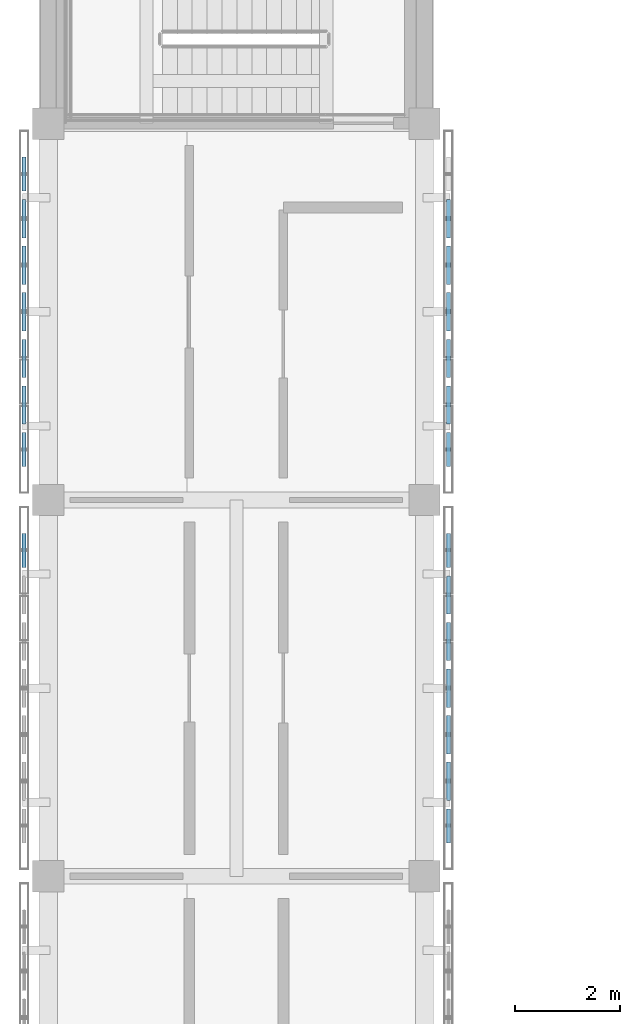
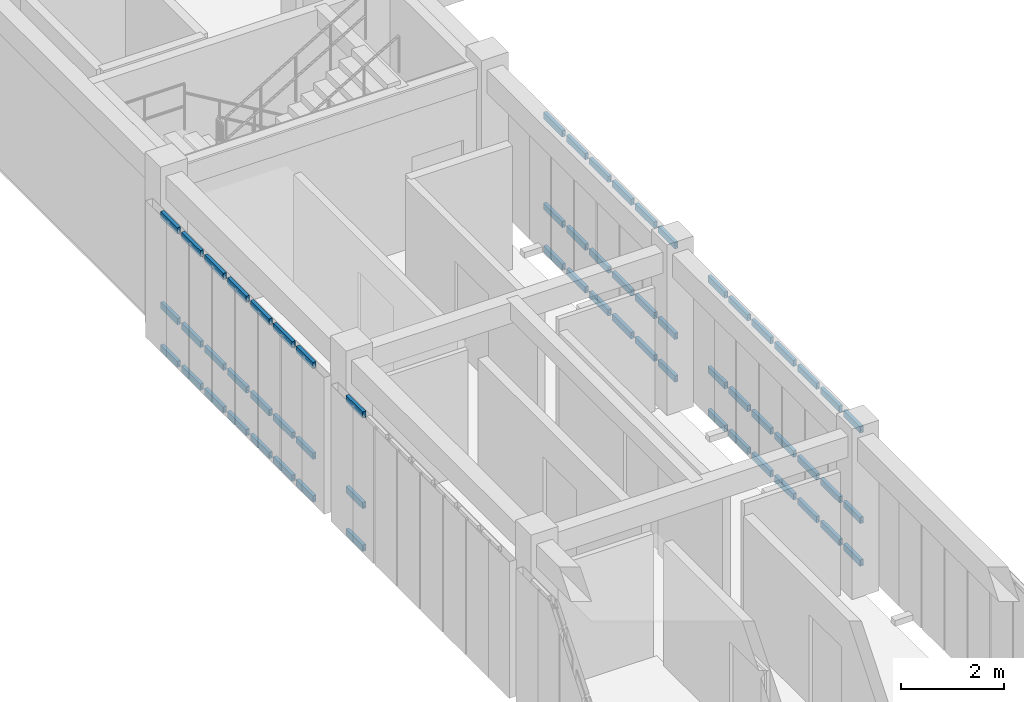
# One storey, part 21 of 67: 63 members, 4 elements without a shape of their own.
"""IFC4 building model written with IfcOpenShell, lengths in metres."""

from ifc_helpers import new_model, si_unit, direction, frame, origin, origin_2d, place, context, subcontext, project, spatial, hollow_rectangle, extrude, material, material_profile, profile_set, type_object, element, aggregate, save


model = new_model("IFC4")

# Units and contexts
model_context = context("Model", 3, precision=1e-05, world=origin(), true_north=direction((0.0, 1.0)))
body_context = subcontext(model_context, "Body", "Model", "MODEL_VIEW")
ifc_project = project(units=[si_unit("LENGTHUNIT", "METRE"), si_unit("AREAUNIT", "SQUARE_METRE"), si_unit("VOLUMEUNIT", "CUBIC_METRE"), si_unit("PLANEANGLEUNIT", "RADIAN"), si_unit("MASSUNIT", "GRAM", prefix="KILO")], contexts=[model_context])

# Site, building, storey
site_placement = place(None, origin())
site = spatial("IfcSite", under=ifc_project, at=site_placement, CompositionType="ELEMENT")
building_placement = place(site_placement, origin())
building = spatial("IfcBuilding", under=site, at=building_placement, Name="Aldebral Square Health Centre", CompositionType="ELEMENT")
storey_placement = place(building_placement, frame((0.0, 0.0, 13.5)))
storey = spatial("IfcBuildingStorey", under=building, at=storey_placement, Name="L03", CompositionType="ELEMENT", Elevation=13.5)

# Curtain wall, members
ifc_material_1 = material(Name="Aluminium and low-E solar glass", Category="aluminium")
curtain_wall_type = type_object("IfcCurtainWallType", Name="CW-FIN-SYS", PredefinedType="USERDEFINED", material=ifc_material_1)
curtain_wall_1_placement = place(storey_placement, origin())
curtain_wall_1 = element("IfcCurtainWall", 1, at=curtain_wall_1_placement, inside=storey, type_object=curtain_wall_type, Name="L03 V4 finned curtain wall L03-V4-00-11-W", ObjectType="SOLAR_CURTAIN_WALL", PredefinedType="USERDEFINED")
ifc_material_2 = material(Name="Anodised aluminium transom", Category="aluminium")
ifc_material_profile = material_profile(ifc_material_2, hollow_rectangle(XDim=0.074951171875, YDim=0.14990234375, WallThickness=0.00390625, at=origin_2d()), Name="CWT 75x150x4")
ifc_profile_set = profile_set([ifc_material_profile], Name="Anodised aluminium transom")
member_type = type_object("IfcMemberType", Name="CWT-STD", PredefinedType="USERDEFINED", material=ifc_profile_set)
member_1_placement = place(storey_placement, frame((-0.4599609375, 85.760009765625, 0.03759765625), z_axis=(0.0, -1.0, 0.0), x_axis=(1.0, 0.0, 0.0)))
member_1 = element("IfcMember", 2, at=member_1_placement, type_object=member_type, Name="CW1 transom 1.1", ObjectType="TRANSOM", PredefinedType="USERDEFINED", context=body_context, shape_type="SweptSolid", body=[
    extrude(hollow_rectangle(XDim=0.074951171875, YDim=0.14990234375, WallThickness=0.00390625, at=origin_2d()), origin(), (0.0, 0.0, 1.0), 0.6513671875),
])
member_2_placement = place(storey_placement, frame((-0.4599609375, 85.760009765625, 1.050048828125), z_axis=(0.0, -1.0, 0.0), x_axis=(1.0, 0.0, 0.0)))
member_2 = element("IfcMember", 3, at=member_2_placement, type_object=member_type, Name="CW1 transom 1.2", ObjectType="TRANSOM", PredefinedType="USERDEFINED", context=body_context, shape_type="SweptSolid", body=[
    extrude(hollow_rectangle(XDim=0.074951171875, YDim=0.14990234375, WallThickness=0.00390625, at=origin_2d()), origin(), (0.0, 0.0, 1.0), 0.6513671875),
])
member_3_placement = place(storey_placement, frame((-0.4599609375, 85.760009765625, 3.202392578125), z_axis=(0.0, -1.0, 0.0), x_axis=(1.0, 0.0, 0.0)))
member_3 = element("IfcMember", 4, at=member_3_placement, type_object=member_type, Name="CW1 transom 1.3", ObjectType="TRANSOM", PredefinedType="USERDEFINED", context=body_context, shape_type="SweptSolid", body=[
    extrude(hollow_rectangle(XDim=0.074951171875, YDim=0.14990234375, WallThickness=0.00390625, at=origin_2d()), origin(), (0.0, 0.0, 1.0), 0.6513671875),
])
aggregate(curtain_wall_1, [member_1, member_2, member_3])

curtain_wall_2_placement = place(storey_placement, origin())
curtain_wall_2 = element("IfcCurtainWall", 5, at=curtain_wall_2_placement, inside=storey, type_object=curtain_wall_type, Name="L03 V4 finned curtain wall L03-V4-00-11-E", ObjectType="SOLAR_CURTAIN_WALL", PredefinedType="USERDEFINED")
member_4_placement = place(storey_placement, frame((7.659912109375, 79.840087890625, 0.03759765625), z_axis=(0.0, 1.0, 0.0), x_axis=(-1.0, 0.0, 0.0)))
member_4 = element("IfcMember", 6, at=member_4_placement, type_object=member_type, Name="CW1 transom 1.1", ObjectType="TRANSOM", PredefinedType="USERDEFINED", context=body_context, shape_type="SweptSolid", body=[
    extrude(hollow_rectangle(XDim=0.074951171875, YDim=0.14990234375, WallThickness=0.00390625, at=origin_2d()), origin(), (0.0, 0.0, 1.0), 0.6513671875),
])
member_5_placement = place(storey_placement, frame((7.659912109375, 79.840087890625, 1.050048828125), z_axis=(0.0, 1.0, 0.0), x_axis=(-1.0, 0.0, 0.0)))
member_5 = element("IfcMember", 7, at=member_5_placement, type_object=member_type, Name="CW1 transom 1.2", ObjectType="TRANSOM", PredefinedType="USERDEFINED", context=body_context, shape_type="SweptSolid", body=[
    extrude(hollow_rectangle(XDim=0.074951171875, YDim=0.14990234375, WallThickness=0.00390625, at=origin_2d()), origin(), (0.0, 0.0, 1.0), 0.6513671875),
])
member_6_placement = place(storey_placement, frame((7.659912109375, 79.840087890625, 3.202392578125), z_axis=(0.0, 1.0, 0.0), x_axis=(-1.0, 0.0, 0.0)))
member_6 = element("IfcMember", 8, at=member_6_placement, type_object=member_type, Name="CW1 transom 1.3", ObjectType="TRANSOM", PredefinedType="USERDEFINED", context=body_context, shape_type="SweptSolid", body=[
    extrude(hollow_rectangle(XDim=0.074951171875, YDim=0.14990234375, WallThickness=0.00390625, at=origin_2d()), origin(), (0.0, 0.0, 1.0), 0.6513671875),
])
member_7_placement = place(storey_placement, frame((7.659912109375, 80.6513671875, 0.03759765625), z_axis=(0.0, 1.0, 0.0), x_axis=(-1.0, 0.0, 0.0)))
member_7 = element("IfcMember", 9, at=member_7_placement, type_object=member_type, Name="CW1 transom 2.1", ObjectType="TRANSOM", PredefinedType="USERDEFINED", context=body_context, shape_type="SweptSolid", body=[
    extrude(hollow_rectangle(XDim=0.074951171875, YDim=0.14990234375, WallThickness=0.00390625, at=origin_2d()), origin(), (0.0, 0.0, 1.0), 0.7314453125),
])
member_8_placement = place(storey_placement, frame((7.659912109375, 80.6513671875, 1.050048828125), z_axis=(0.0, 1.0, 0.0), x_axis=(-1.0, 0.0, 0.0)))
member_8 = element("IfcMember", 10, at=member_8_placement, type_object=member_type, Name="CW1 transom 2.2", ObjectType="TRANSOM", PredefinedType="USERDEFINED", context=body_context, shape_type="SweptSolid", body=[
    extrude(hollow_rectangle(XDim=0.074951171875, YDim=0.14990234375, WallThickness=0.00390625, at=origin_2d()), origin(), (0.0, 0.0, 1.0), 0.7314453125),
])
member_9_placement = place(storey_placement, frame((7.659912109375, 80.6513671875, 3.202392578125), z_axis=(0.0, 1.0, 0.0), x_axis=(-1.0, 0.0, 0.0)))
member_9 = element("IfcMember", 11, at=member_9_placement, type_object=member_type, Name="CW1 transom 2.3", ObjectType="TRANSOM", PredefinedType="USERDEFINED", context=body_context, shape_type="SweptSolid", body=[
    extrude(hollow_rectangle(XDim=0.074951171875, YDim=0.14990234375, WallThickness=0.00390625, at=origin_2d()), origin(), (0.0, 0.0, 1.0), 0.7314453125),
])
member_10_placement = place(storey_placement, frame((7.659912109375, 81.54296875, 0.03759765625), z_axis=(0.0, 1.0, 0.0), x_axis=(-1.0, 0.0, 0.0)))
member_10 = element("IfcMember", 12, at=member_10_placement, type_object=member_type, Name="CW1 transom 3.1", ObjectType="TRANSOM", PredefinedType="USERDEFINED", context=body_context, shape_type="SweptSolid", body=[
    extrude(hollow_rectangle(XDim=0.074951171875, YDim=0.14990234375, WallThickness=0.00390625, at=origin_2d()), origin(), (0.0, 0.0, 1.0), 0.731201171875),
])
member_11_placement = place(storey_placement, frame((7.659912109375, 81.54296875, 1.050048828125), z_axis=(0.0, 1.0, 0.0), x_axis=(-1.0, 0.0, 0.0)))
member_11 = element("IfcMember", 13, at=member_11_placement, type_object=member_type, Name="CW1 transom 3.2", ObjectType="TRANSOM", PredefinedType="USERDEFINED", context=body_context, shape_type="SweptSolid", body=[
    extrude(hollow_rectangle(XDim=0.074951171875, YDim=0.14990234375, WallThickness=0.00390625, at=origin_2d()), origin(), (0.0, 0.0, 1.0), 0.731201171875),
])
member_12_placement = place(storey_placement, frame((7.659912109375, 81.54296875, 3.202392578125), z_axis=(0.0, 1.0, 0.0), x_axis=(-1.0, 0.0, 0.0)))
member_12 = element("IfcMember", 14, at=member_12_placement, type_object=member_type, Name="CW1 transom 3.3", ObjectType="TRANSOM", PredefinedType="USERDEFINED", context=body_context, shape_type="SweptSolid", body=[
    extrude(hollow_rectangle(XDim=0.074951171875, YDim=0.14990234375, WallThickness=0.00390625, at=origin_2d()), origin(), (0.0, 0.0, 1.0), 0.731201171875),
])
member_13_placement = place(storey_placement, frame((7.659912109375, 82.434326171875, 0.03759765625), z_axis=(0.0, 1.0, 0.0), x_axis=(-1.0, 0.0, 0.0)))
member_13 = element("IfcMember", 15, at=member_13_placement, type_object=member_type, Name="CW1 transom 4.1", ObjectType="TRANSOM", PredefinedType="USERDEFINED", context=body_context, shape_type="SweptSolid", body=[
    extrude(hollow_rectangle(XDim=0.074951171875, YDim=0.14990234375, WallThickness=0.00390625, at=origin_2d()), origin(), (0.0, 0.0, 1.0), 0.7314453125),
])
member_14_placement = place(storey_placement, frame((7.659912109375, 82.434326171875, 1.050048828125), z_axis=(0.0, 1.0, 0.0), x_axis=(-1.0, 0.0, 0.0)))
member_14 = element("IfcMember", 16, at=member_14_placement, type_object=member_type, Name="CW1 transom 4.2", ObjectType="TRANSOM", PredefinedType="USERDEFINED", context=body_context, shape_type="SweptSolid", body=[
    extrude(hollow_rectangle(XDim=0.074951171875, YDim=0.14990234375, WallThickness=0.00390625, at=origin_2d()), origin(), (0.0, 0.0, 1.0), 0.7314453125),
])
member_15_placement = place(storey_placement, frame((7.659912109375, 82.434326171875, 3.202392578125), z_axis=(0.0, 1.0, 0.0), x_axis=(-1.0, 0.0, 0.0)))
member_15 = element("IfcMember", 17, at=member_15_placement, type_object=member_type, Name="CW1 transom 4.3", ObjectType="TRANSOM", PredefinedType="USERDEFINED", context=body_context, shape_type="SweptSolid", body=[
    extrude(hollow_rectangle(XDim=0.074951171875, YDim=0.14990234375, WallThickness=0.00390625, at=origin_2d()), origin(), (0.0, 0.0, 1.0), 0.7314453125),
])
member_16_placement = place(storey_placement, frame((7.659912109375, 83.32568359375, 0.03759765625), z_axis=(0.0, 1.0, 0.0), x_axis=(-1.0, 0.0, 0.0)))
member_16 = element("IfcMember", 18, at=member_16_placement, type_object=member_type, Name="CW1 transom 5.1", ObjectType="TRANSOM", PredefinedType="USERDEFINED", context=body_context, shape_type="SweptSolid", body=[
    extrude(hollow_rectangle(XDim=0.074951171875, YDim=0.14990234375, WallThickness=0.00390625, at=origin_2d()), origin(), (0.0, 0.0, 1.0), 0.7314453125),
])
member_17_placement = place(storey_placement, frame((7.659912109375, 83.32568359375, 1.050048828125), z_axis=(0.0, 1.0, 0.0), x_axis=(-1.0, 0.0, 0.0)))
member_17 = element("IfcMember", 19, at=member_17_placement, type_object=member_type, Name="CW1 transom 5.2", ObjectType="TRANSOM", PredefinedType="USERDEFINED", context=body_context, shape_type="SweptSolid", body=[
    extrude(hollow_rectangle(XDim=0.074951171875, YDim=0.14990234375, WallThickness=0.00390625, at=origin_2d()), origin(), (0.0, 0.0, 1.0), 0.7314453125),
])
member_18_placement = place(storey_placement, frame((7.659912109375, 83.32568359375, 3.202392578125), z_axis=(0.0, 1.0, 0.0), x_axis=(-1.0, 0.0, 0.0)))
member_18 = element("IfcMember", 20, at=member_18_placement, type_object=member_type, Name="CW1 transom 5.3", ObjectType="TRANSOM", PredefinedType="USERDEFINED", context=body_context, shape_type="SweptSolid", body=[
    extrude(hollow_rectangle(XDim=0.074951171875, YDim=0.14990234375, WallThickness=0.00390625, at=origin_2d()), origin(), (0.0, 0.0, 1.0), 0.7314453125),
])
member_19_placement = place(storey_placement, frame((7.659912109375, 84.217041015625, 0.03759765625), z_axis=(0.0, 1.0, 0.0), x_axis=(-1.0, 0.0, 0.0)))
member_19 = element("IfcMember", 21, at=member_19_placement, type_object=member_type, Name="CW1 transom 6.1", ObjectType="TRANSOM", PredefinedType="USERDEFINED", context=body_context, shape_type="SweptSolid", body=[
    extrude(hollow_rectangle(XDim=0.074951171875, YDim=0.14990234375, WallThickness=0.00390625, at=origin_2d()), origin(), (0.0, 0.0, 1.0), 0.7314453125),
])
member_20_placement = place(storey_placement, frame((7.659912109375, 84.217041015625, 1.050048828125), z_axis=(0.0, 1.0, 0.0), x_axis=(-1.0, 0.0, 0.0)))
member_20 = element("IfcMember", 22, at=member_20_placement, type_object=member_type, Name="CW1 transom 6.2", ObjectType="TRANSOM", PredefinedType="USERDEFINED", context=body_context, shape_type="SweptSolid", body=[
    extrude(hollow_rectangle(XDim=0.074951171875, YDim=0.14990234375, WallThickness=0.00390625, at=origin_2d()), origin(), (0.0, 0.0, 1.0), 0.7314453125),
])
member_21_placement = place(storey_placement, frame((7.659912109375, 84.217041015625, 3.202392578125), z_axis=(0.0, 1.0, 0.0), x_axis=(-1.0, 0.0, 0.0)))
member_21 = element("IfcMember", 23, at=member_21_placement, type_object=member_type, Name="CW1 transom 6.3", ObjectType="TRANSOM", PredefinedType="USERDEFINED", context=body_context, shape_type="SweptSolid", body=[
    extrude(hollow_rectangle(XDim=0.074951171875, YDim=0.14990234375, WallThickness=0.00390625, at=origin_2d()), origin(), (0.0, 0.0, 1.0), 0.7314453125),
])
member_22_placement = place(storey_placement, frame((7.659912109375, 85.108642578125, 0.03759765625), z_axis=(0.0, 1.0, 0.0), x_axis=(-1.0, 0.0, 0.0)))
member_22 = element("IfcMember", 24, at=member_22_placement, type_object=member_type, Name="CW1 transom 7.1", ObjectType="TRANSOM", PredefinedType="USERDEFINED", context=body_context, shape_type="SweptSolid", body=[
    extrude(hollow_rectangle(XDim=0.074951171875, YDim=0.14990234375, WallThickness=0.00390625, at=origin_2d()), origin(), (0.0, 0.0, 1.0), 0.6513671875),
])
member_23_placement = place(storey_placement, frame((7.659912109375, 85.108642578125, 1.050048828125), z_axis=(0.0, 1.0, 0.0), x_axis=(-1.0, 0.0, 0.0)))
member_23 = element("IfcMember", 25, at=member_23_placement, type_object=member_type, Name="CW1 transom 7.2", ObjectType="TRANSOM", PredefinedType="USERDEFINED", context=body_context, shape_type="SweptSolid", body=[
    extrude(hollow_rectangle(XDim=0.074951171875, YDim=0.14990234375, WallThickness=0.00390625, at=origin_2d()), origin(), (0.0, 0.0, 1.0), 0.6513671875),
])
member_24_placement = place(storey_placement, frame((7.659912109375, 85.108642578125, 3.202392578125), z_axis=(0.0, 1.0, 0.0), x_axis=(-1.0, 0.0, 0.0)))
member_24 = element("IfcMember", 26, at=member_24_placement, type_object=member_type, Name="CW1 transom 7.3", ObjectType="TRANSOM", PredefinedType="USERDEFINED", context=body_context, shape_type="SweptSolid", body=[
    extrude(hollow_rectangle(XDim=0.074951171875, YDim=0.14990234375, WallThickness=0.00390625, at=origin_2d()), origin(), (0.0, 0.0, 1.0), 0.6513671875),
])
aggregate(curtain_wall_2, [member_4, member_5, member_6, member_7, member_8, member_9, member_10, member_11, member_12, member_13, member_14, member_15, member_16, member_17, member_18, member_19, member_20, member_21, member_22, member_23, member_24])

curtain_wall_3_placement = place(storey_placement, origin())
curtain_wall_3 = element("IfcCurtainWall", 27, at=curtain_wall_3_placement, inside=storey, type_object=curtain_wall_type, Name="L03 V4 finned curtain wall L03-V4-00-12-W", ObjectType="SOLAR_CURTAIN_WALL", PredefinedType="USERDEFINED")
member_25_placement = place(storey_placement, frame((-0.4599609375, 92.9599609375, 0.03759765625), z_axis=(0.0, -1.0, 0.0), x_axis=(1.0, 0.0, 0.0)))
member_25 = element("IfcMember", 28, at=member_25_placement, type_object=member_type, Name="CW1 transom 1.1", ObjectType="TRANSOM", PredefinedType="USERDEFINED", context=body_context, shape_type="SweptSolid", body=[
    extrude(hollow_rectangle(XDim=0.074951171875, YDim=0.14990234375, WallThickness=0.00390625, at=origin_2d()), origin(), (0.0, 0.0, 1.0), 0.6513671875),
])
member_26_placement = place(storey_placement, frame((-0.4599609375, 92.9599609375, 1.050048828125), z_axis=(0.0, -1.0, 0.0), x_axis=(1.0, 0.0, 0.0)))
member_26 = element("IfcMember", 29, at=member_26_placement, type_object=member_type, Name="CW1 transom 1.2", ObjectType="TRANSOM", PredefinedType="USERDEFINED", context=body_context, shape_type="SweptSolid", body=[
    extrude(hollow_rectangle(XDim=0.074951171875, YDim=0.14990234375, WallThickness=0.00390625, at=origin_2d()), origin(), (0.0, 0.0, 1.0), 0.6513671875),
])
member_27_placement = place(storey_placement, frame((-0.4599609375, 92.9599609375, 3.202392578125), z_axis=(0.0, -1.0, 0.0), x_axis=(1.0, 0.0, 0.0)))
member_27 = element("IfcMember", 30, at=member_27_placement, type_object=member_type, Name="CW1 transom 1.3", ObjectType="TRANSOM", PredefinedType="USERDEFINED", context=body_context, shape_type="SweptSolid", body=[
    extrude(hollow_rectangle(XDim=0.074951171875, YDim=0.14990234375, WallThickness=0.00390625, at=origin_2d()), origin(), (0.0, 0.0, 1.0), 0.6513671875),
])
member_28_placement = place(storey_placement, frame((-0.4599609375, 92.148681640625, 0.03759765625), z_axis=(0.0, -1.0, 0.0), x_axis=(1.0, 0.0, 0.0)))
member_28 = element("IfcMember", 31, at=member_28_placement, type_object=member_type, Name="CW1 transom 2.1", ObjectType="TRANSOM", PredefinedType="USERDEFINED", context=body_context, shape_type="SweptSolid", body=[
    extrude(hollow_rectangle(XDim=0.074951171875, YDim=0.14990234375, WallThickness=0.00390625, at=origin_2d()), origin(), (0.0, 0.0, 1.0), 0.7314453125),
])
member_29_placement = place(storey_placement, frame((-0.4599609375, 92.148681640625, 1.050048828125), z_axis=(0.0, -1.0, 0.0), x_axis=(1.0, 0.0, 0.0)))
member_29 = element("IfcMember", 32, at=member_29_placement, type_object=member_type, Name="CW1 transom 2.2", ObjectType="TRANSOM", PredefinedType="USERDEFINED", context=body_context, shape_type="SweptSolid", body=[
    extrude(hollow_rectangle(XDim=0.074951171875, YDim=0.14990234375, WallThickness=0.00390625, at=origin_2d()), origin(), (0.0, 0.0, 1.0), 0.7314453125),
])
member_30_placement = place(storey_placement, frame((-0.4599609375, 92.148681640625, 3.202392578125), z_axis=(0.0, -1.0, 0.0), x_axis=(1.0, 0.0, 0.0)))
member_30 = element("IfcMember", 33, at=member_30_placement, type_object=member_type, Name="CW1 transom 2.3", ObjectType="TRANSOM", PredefinedType="USERDEFINED", context=body_context, shape_type="SweptSolid", body=[
    extrude(hollow_rectangle(XDim=0.074951171875, YDim=0.14990234375, WallThickness=0.00390625, at=origin_2d()), origin(), (0.0, 0.0, 1.0), 0.7314453125),
])
member_31_placement = place(storey_placement, frame((-0.4599609375, 91.257080078125, 0.03759765625), z_axis=(0.0, -1.0, 0.0), x_axis=(1.0, 0.0, 0.0)))
member_31 = element("IfcMember", 34, at=member_31_placement, type_object=member_type, Name="CW1 transom 3.1", ObjectType="TRANSOM", PredefinedType="USERDEFINED", context=body_context, shape_type="SweptSolid", body=[
    extrude(hollow_rectangle(XDim=0.074951171875, YDim=0.14990234375, WallThickness=0.00390625, at=origin_2d()), origin(), (0.0, 0.0, 1.0), 0.7314453125),
])
member_32_placement = place(storey_placement, frame((-0.4599609375, 91.257080078125, 1.050048828125), z_axis=(0.0, -1.0, 0.0), x_axis=(1.0, 0.0, 0.0)))
member_32 = element("IfcMember", 35, at=member_32_placement, type_object=member_type, Name="CW1 transom 3.2", ObjectType="TRANSOM", PredefinedType="USERDEFINED", context=body_context, shape_type="SweptSolid", body=[
    extrude(hollow_rectangle(XDim=0.074951171875, YDim=0.14990234375, WallThickness=0.00390625, at=origin_2d()), origin(), (0.0, 0.0, 1.0), 0.7314453125),
])
member_33_placement = place(storey_placement, frame((-0.4599609375, 91.257080078125, 3.202392578125), z_axis=(0.0, -1.0, 0.0), x_axis=(1.0, 0.0, 0.0)))
member_33 = element("IfcMember", 36, at=member_33_placement, type_object=member_type, Name="CW1 transom 3.3", ObjectType="TRANSOM", PredefinedType="USERDEFINED", context=body_context, shape_type="SweptSolid", body=[
    extrude(hollow_rectangle(XDim=0.074951171875, YDim=0.14990234375, WallThickness=0.00390625, at=origin_2d()), origin(), (0.0, 0.0, 1.0), 0.7314453125),
])
member_34_placement = place(storey_placement, frame((-0.4599609375, 90.36572265625, 0.03759765625), z_axis=(0.0, -1.0, 0.0), x_axis=(1.0, 0.0, 0.0)))
member_34 = element("IfcMember", 37, at=member_34_placement, type_object=member_type, Name="CW1 transom 4.1", ObjectType="TRANSOM", PredefinedType="USERDEFINED", context=body_context, shape_type="SweptSolid", body=[
    extrude(hollow_rectangle(XDim=0.074951171875, YDim=0.14990234375, WallThickness=0.00390625, at=origin_2d()), origin(), (0.0, 0.0, 1.0), 0.7314453125),
])
member_35_placement = place(storey_placement, frame((-0.4599609375, 90.36572265625, 1.050048828125), z_axis=(0.0, -1.0, 0.0), x_axis=(1.0, 0.0, 0.0)))
member_35 = element("IfcMember", 38, at=member_35_placement, type_object=member_type, Name="CW1 transom 4.2", ObjectType="TRANSOM", PredefinedType="USERDEFINED", context=body_context, shape_type="SweptSolid", body=[
    extrude(hollow_rectangle(XDim=0.074951171875, YDim=0.14990234375, WallThickness=0.00390625, at=origin_2d()), origin(), (0.0, 0.0, 1.0), 0.7314453125),
])
member_36_placement = place(storey_placement, frame((-0.4599609375, 90.36572265625, 3.202392578125), z_axis=(0.0, -1.0, 0.0), x_axis=(1.0, 0.0, 0.0)))
member_36 = element("IfcMember", 39, at=member_36_placement, type_object=member_type, Name="CW1 transom 4.3", ObjectType="TRANSOM", PredefinedType="USERDEFINED", context=body_context, shape_type="SweptSolid", body=[
    extrude(hollow_rectangle(XDim=0.074951171875, YDim=0.14990234375, WallThickness=0.00390625, at=origin_2d()), origin(), (0.0, 0.0, 1.0), 0.7314453125),
])
member_37_placement = place(storey_placement, frame((-0.4599609375, 89.474365234375, 0.03759765625), z_axis=(0.0, -1.0, 0.0), x_axis=(1.0, 0.0, 0.0)))
member_37 = element("IfcMember", 40, at=member_37_placement, type_object=member_type, Name="CW1 transom 5.1", ObjectType="TRANSOM", PredefinedType="USERDEFINED", context=body_context, shape_type="SweptSolid", body=[
    extrude(hollow_rectangle(XDim=0.074951171875, YDim=0.14990234375, WallThickness=0.00390625, at=origin_2d()), origin(), (0.0, 0.0, 1.0), 0.7314453125),
])
member_38_placement = place(storey_placement, frame((-0.4599609375, 89.474365234375, 1.050048828125), z_axis=(0.0, -1.0, 0.0), x_axis=(1.0, 0.0, 0.0)))
member_38 = element("IfcMember", 41, at=member_38_placement, type_object=member_type, Name="CW1 transom 5.2", ObjectType="TRANSOM", PredefinedType="USERDEFINED", context=body_context, shape_type="SweptSolid", body=[
    extrude(hollow_rectangle(XDim=0.074951171875, YDim=0.14990234375, WallThickness=0.00390625, at=origin_2d()), origin(), (0.0, 0.0, 1.0), 0.7314453125),
])
member_39_placement = place(storey_placement, frame((-0.4599609375, 89.474365234375, 3.202392578125), z_axis=(0.0, -1.0, 0.0), x_axis=(1.0, 0.0, 0.0)))
member_39 = element("IfcMember", 42, at=member_39_placement, type_object=member_type, Name="CW1 transom 5.3", ObjectType="TRANSOM", PredefinedType="USERDEFINED", context=body_context, shape_type="SweptSolid", body=[
    extrude(hollow_rectangle(XDim=0.074951171875, YDim=0.14990234375, WallThickness=0.00390625, at=origin_2d()), origin(), (0.0, 0.0, 1.0), 0.7314453125),
])
member_40_placement = place(storey_placement, frame((-0.4599609375, 88.582763671875, 0.03759765625), z_axis=(0.0, -1.0, 0.0), x_axis=(1.0, 0.0, 0.0)))
member_40 = element("IfcMember", 43, at=member_40_placement, type_object=member_type, Name="CW1 transom 6.1", ObjectType="TRANSOM", PredefinedType="USERDEFINED", context=body_context, shape_type="SweptSolid", body=[
    extrude(hollow_rectangle(XDim=0.074951171875, YDim=0.14990234375, WallThickness=0.00390625, at=origin_2d()), origin(), (0.0, 0.0, 1.0), 0.7314453125),
])
member_41_placement = place(storey_placement, frame((-0.4599609375, 88.582763671875, 1.050048828125), z_axis=(0.0, -1.0, 0.0), x_axis=(1.0, 0.0, 0.0)))
member_41 = element("IfcMember", 44, at=member_41_placement, type_object=member_type, Name="CW1 transom 6.2", ObjectType="TRANSOM", PredefinedType="USERDEFINED", context=body_context, shape_type="SweptSolid", body=[
    extrude(hollow_rectangle(XDim=0.074951171875, YDim=0.14990234375, WallThickness=0.00390625, at=origin_2d()), origin(), (0.0, 0.0, 1.0), 0.7314453125),
])
member_42_placement = place(storey_placement, frame((-0.4599609375, 88.582763671875, 3.202392578125), z_axis=(0.0, -1.0, 0.0), x_axis=(1.0, 0.0, 0.0)))
member_42 = element("IfcMember", 45, at=member_42_placement, type_object=member_type, Name="CW1 transom 6.3", ObjectType="TRANSOM", PredefinedType="USERDEFINED", context=body_context, shape_type="SweptSolid", body=[
    extrude(hollow_rectangle(XDim=0.074951171875, YDim=0.14990234375, WallThickness=0.00390625, at=origin_2d()), origin(), (0.0, 0.0, 1.0), 0.7314453125),
])
member_43_placement = place(storey_placement, frame((-0.4599609375, 87.69140625, 0.03759765625), z_axis=(0.0, -1.0, 0.0), x_axis=(1.0, 0.0, 0.0)))
member_43 = element("IfcMember", 46, at=member_43_placement, type_object=member_type, Name="CW1 transom 7.1", ObjectType="TRANSOM", PredefinedType="USERDEFINED", context=body_context, shape_type="SweptSolid", body=[
    extrude(hollow_rectangle(XDim=0.074951171875, YDim=0.14990234375, WallThickness=0.00390625, at=origin_2d()), origin(), (0.0, 0.0, 1.0), 0.6513671875),
])
member_44_placement = place(storey_placement, frame((-0.4599609375, 87.69140625, 1.050048828125), z_axis=(0.0, -1.0, 0.0), x_axis=(1.0, 0.0, 0.0)))
member_44 = element("IfcMember", 47, at=member_44_placement, type_object=member_type, Name="CW1 transom 7.2", ObjectType="TRANSOM", PredefinedType="USERDEFINED", context=body_context, shape_type="SweptSolid", body=[
    extrude(hollow_rectangle(XDim=0.074951171875, YDim=0.14990234375, WallThickness=0.00390625, at=origin_2d()), origin(), (0.0, 0.0, 1.0), 0.6513671875),
])
member_45_placement = place(storey_placement, frame((-0.4599609375, 87.69140625, 3.202392578125), z_axis=(0.0, -1.0, 0.0), x_axis=(1.0, 0.0, 0.0)))
member_45 = element("IfcMember", 48, at=member_45_placement, type_object=member_type, Name="CW1 transom 7.3", ObjectType="TRANSOM", PredefinedType="USERDEFINED", context=body_context, shape_type="SweptSolid", body=[
    extrude(hollow_rectangle(XDim=0.074951171875, YDim=0.14990234375, WallThickness=0.00390625, at=origin_2d()), origin(), (0.0, 0.0, 1.0), 0.6513671875),
])
aggregate(curtain_wall_3, [member_25, member_26, member_27, member_28, member_29, member_30, member_31, member_32, member_33, member_34, member_35, member_36, member_37, member_38, member_39, member_40, member_41, member_42, member_43, member_44, member_45])

curtain_wall_4_placement = place(storey_placement, origin())
curtain_wall_4 = element("IfcCurtainWall", 49, at=curtain_wall_4_placement, inside=storey, type_object=curtain_wall_type, Name="L03 V4 finned curtain wall L03-V4-00-12-E", ObjectType="SOLAR_CURTAIN_WALL", PredefinedType="USERDEFINED")
member_46_placement = place(storey_placement, frame((7.659912109375, 87.0400390625, 0.03759765625), z_axis=(0.0, 1.0, 0.0), x_axis=(-1.0, 0.0, 0.0)))
member_46 = element("IfcMember", 50, at=member_46_placement, type_object=member_type, Name="CW1 transom 1.1", ObjectType="TRANSOM", PredefinedType="USERDEFINED", context=body_context, shape_type="SweptSolid", body=[
    extrude(hollow_rectangle(XDim=0.074951171875, YDim=0.14990234375, WallThickness=0.00390625, at=origin_2d()), origin(), (0.0, 0.0, 1.0), 0.6513671875),
])
member_47_placement = place(storey_placement, frame((7.659912109375, 87.0400390625, 1.050048828125), z_axis=(0.0, 1.0, 0.0), x_axis=(-1.0, 0.0, 0.0)))
member_47 = element("IfcMember", 51, at=member_47_placement, type_object=member_type, Name="CW1 transom 1.2", ObjectType="TRANSOM", PredefinedType="USERDEFINED", context=body_context, shape_type="SweptSolid", body=[
    extrude(hollow_rectangle(XDim=0.074951171875, YDim=0.14990234375, WallThickness=0.00390625, at=origin_2d()), origin(), (0.0, 0.0, 1.0), 0.6513671875),
])
member_48_placement = place(storey_placement, frame((7.659912109375, 87.0400390625, 3.202392578125), z_axis=(0.0, 1.0, 0.0), x_axis=(-1.0, 0.0, 0.0)))
member_48 = element("IfcMember", 52, at=member_48_placement, type_object=member_type, Name="CW1 transom 1.3", ObjectType="TRANSOM", PredefinedType="USERDEFINED", context=body_context, shape_type="SweptSolid", body=[
    extrude(hollow_rectangle(XDim=0.074951171875, YDim=0.14990234375, WallThickness=0.00390625, at=origin_2d()), origin(), (0.0, 0.0, 1.0), 0.6513671875),
])
member_49_placement = place(storey_placement, frame((7.659912109375, 87.851318359375, 0.03759765625), z_axis=(0.0, 1.0, 0.0), x_axis=(-1.0, 0.0, 0.0)))
member_49 = element("IfcMember", 53, at=member_49_placement, type_object=member_type, Name="CW1 transom 2.1", ObjectType="TRANSOM", PredefinedType="USERDEFINED", context=body_context, shape_type="SweptSolid", body=[
    extrude(hollow_rectangle(XDim=0.074951171875, YDim=0.14990234375, WallThickness=0.00390625, at=origin_2d()), origin(), (0.0, 0.0, 1.0), 0.7314453125),
])
member_50_placement = place(storey_placement, frame((7.659912109375, 87.851318359375, 1.050048828125), z_axis=(0.0, 1.0, 0.0), x_axis=(-1.0, 0.0, 0.0)))
member_50 = element("IfcMember", 54, at=member_50_placement, type_object=member_type, Name="CW1 transom 2.2", ObjectType="TRANSOM", PredefinedType="USERDEFINED", context=body_context, shape_type="SweptSolid", body=[
    extrude(hollow_rectangle(XDim=0.074951171875, YDim=0.14990234375, WallThickness=0.00390625, at=origin_2d()), origin(), (0.0, 0.0, 1.0), 0.7314453125),
])
member_51_placement = place(storey_placement, frame((7.659912109375, 87.851318359375, 3.202392578125), z_axis=(0.0, 1.0, 0.0), x_axis=(-1.0, 0.0, 0.0)))
member_51 = element("IfcMember", 55, at=member_51_placement, type_object=member_type, Name="CW1 transom 2.3", ObjectType="TRANSOM", PredefinedType="USERDEFINED", context=body_context, shape_type="SweptSolid", body=[
    extrude(hollow_rectangle(XDim=0.074951171875, YDim=0.14990234375, WallThickness=0.00390625, at=origin_2d()), origin(), (0.0, 0.0, 1.0), 0.7314453125),
])
member_52_placement = place(storey_placement, frame((7.659912109375, 88.742919921875, 0.03759765625), z_axis=(0.0, 1.0, 0.0), x_axis=(-1.0, 0.0, 0.0)))
member_52 = element("IfcMember", 56, at=member_52_placement, type_object=member_type, Name="CW1 transom 3.1", ObjectType="TRANSOM", PredefinedType="USERDEFINED", context=body_context, shape_type="SweptSolid", body=[
    extrude(hollow_rectangle(XDim=0.074951171875, YDim=0.14990234375, WallThickness=0.00390625, at=origin_2d()), origin(), (0.0, 0.0, 1.0), 0.7314453125),
])
member_53_placement = place(storey_placement, frame((7.659912109375, 88.742919921875, 1.050048828125), z_axis=(0.0, 1.0, 0.0), x_axis=(-1.0, 0.0, 0.0)))
member_53 = element("IfcMember", 57, at=member_53_placement, type_object=member_type, Name="CW1 transom 3.2", ObjectType="TRANSOM", PredefinedType="USERDEFINED", context=body_context, shape_type="SweptSolid", body=[
    extrude(hollow_rectangle(XDim=0.074951171875, YDim=0.14990234375, WallThickness=0.00390625, at=origin_2d()), origin(), (0.0, 0.0, 1.0), 0.7314453125),
])
member_54_placement = place(storey_placement, frame((7.659912109375, 88.742919921875, 3.202392578125), z_axis=(0.0, 1.0, 0.0), x_axis=(-1.0, 0.0, 0.0)))
member_54 = element("IfcMember", 58, at=member_54_placement, type_object=member_type, Name="CW1 transom 3.3", ObjectType="TRANSOM", PredefinedType="USERDEFINED", context=body_context, shape_type="SweptSolid", body=[
    extrude(hollow_rectangle(XDim=0.074951171875, YDim=0.14990234375, WallThickness=0.00390625, at=origin_2d()), origin(), (0.0, 0.0, 1.0), 0.7314453125),
])
member_55_placement = place(storey_placement, frame((7.659912109375, 89.63427734375, 0.03759765625), z_axis=(0.0, 1.0, 0.0), x_axis=(-1.0, 0.0, 0.0)))
member_55 = element("IfcMember", 59, at=member_55_placement, type_object=member_type, Name="CW1 transom 4.1", ObjectType="TRANSOM", PredefinedType="USERDEFINED", context=body_context, shape_type="SweptSolid", body=[
    extrude(hollow_rectangle(XDim=0.074951171875, YDim=0.14990234375, WallThickness=0.00390625, at=origin_2d()), origin(), (0.0, 0.0, 1.0), 0.7314453125),
])
member_56_placement = place(storey_placement, frame((7.659912109375, 89.63427734375, 1.050048828125), z_axis=(0.0, 1.0, 0.0), x_axis=(-1.0, 0.0, 0.0)))
member_56 = element("IfcMember", 60, at=member_56_placement, type_object=member_type, Name="CW1 transom 4.2", ObjectType="TRANSOM", PredefinedType="USERDEFINED", context=body_context, shape_type="SweptSolid", body=[
    extrude(hollow_rectangle(XDim=0.074951171875, YDim=0.14990234375, WallThickness=0.00390625, at=origin_2d()), origin(), (0.0, 0.0, 1.0), 0.7314453125),
])
member_57_placement = place(storey_placement, frame((7.659912109375, 89.63427734375, 3.202392578125), z_axis=(0.0, 1.0, 0.0), x_axis=(-1.0, 0.0, 0.0)))
member_57 = element("IfcMember", 61, at=member_57_placement, type_object=member_type, Name="CW1 transom 4.3", ObjectType="TRANSOM", PredefinedType="USERDEFINED", context=body_context, shape_type="SweptSolid", body=[
    extrude(hollow_rectangle(XDim=0.074951171875, YDim=0.14990234375, WallThickness=0.00390625, at=origin_2d()), origin(), (0.0, 0.0, 1.0), 0.7314453125),
])
member_58_placement = place(storey_placement, frame((7.659912109375, 90.525634765625, 0.03759765625), z_axis=(0.0, 1.0, 0.0), x_axis=(-1.0, 0.0, 0.0)))
member_58 = element("IfcMember", 62, at=member_58_placement, type_object=member_type, Name="CW1 transom 5.1", ObjectType="TRANSOM", PredefinedType="USERDEFINED", context=body_context, shape_type="SweptSolid", body=[
    extrude(hollow_rectangle(XDim=0.074951171875, YDim=0.14990234375, WallThickness=0.00390625, at=origin_2d()), origin(), (0.0, 0.0, 1.0), 0.7314453125),
])
member_59_placement = place(storey_placement, frame((7.659912109375, 90.525634765625, 1.050048828125), z_axis=(0.0, 1.0, 0.0), x_axis=(-1.0, 0.0, 0.0)))
member_59 = element("IfcMember", 63, at=member_59_placement, type_object=member_type, Name="CW1 transom 5.2", ObjectType="TRANSOM", PredefinedType="USERDEFINED", context=body_context, shape_type="SweptSolid", body=[
    extrude(hollow_rectangle(XDim=0.074951171875, YDim=0.14990234375, WallThickness=0.00390625, at=origin_2d()), origin(), (0.0, 0.0, 1.0), 0.7314453125),
])
member_60_placement = place(storey_placement, frame((7.659912109375, 90.525634765625, 3.202392578125), z_axis=(0.0, 1.0, 0.0), x_axis=(-1.0, 0.0, 0.0)))
member_60 = element("IfcMember", 64, at=member_60_placement, type_object=member_type, Name="CW1 transom 5.3", ObjectType="TRANSOM", PredefinedType="USERDEFINED", context=body_context, shape_type="SweptSolid", body=[
    extrude(hollow_rectangle(XDim=0.074951171875, YDim=0.14990234375, WallThickness=0.00390625, at=origin_2d()), origin(), (0.0, 0.0, 1.0), 0.7314453125),
])
member_61_placement = place(storey_placement, frame((7.659912109375, 91.417236328125, 0.03759765625), z_axis=(0.0, 1.0, 0.0), x_axis=(-1.0, 0.0, 0.0)))
member_61 = element("IfcMember", 65, at=member_61_placement, type_object=member_type, Name="CW1 transom 6.1", ObjectType="TRANSOM", PredefinedType="USERDEFINED", context=body_context, shape_type="SweptSolid", body=[
    extrude(hollow_rectangle(XDim=0.074951171875, YDim=0.14990234375, WallThickness=0.00390625, at=origin_2d()), origin(), (0.0, 0.0, 1.0), 0.7314453125),
])
member_62_placement = place(storey_placement, frame((7.659912109375, 91.417236328125, 1.050048828125), z_axis=(0.0, 1.0, 0.0), x_axis=(-1.0, 0.0, 0.0)))
member_62 = element("IfcMember", 66, at=member_62_placement, type_object=member_type, Name="CW1 transom 6.2", ObjectType="TRANSOM", PredefinedType="USERDEFINED", context=body_context, shape_type="SweptSolid", body=[
    extrude(hollow_rectangle(XDim=0.074951171875, YDim=0.14990234375, WallThickness=0.00390625, at=origin_2d()), origin(), (0.0, 0.0, 1.0), 0.7314453125),
])
member_63_placement = place(storey_placement, frame((7.659912109375, 91.417236328125, 3.202392578125), z_axis=(0.0, 1.0, 0.0), x_axis=(-1.0, 0.0, 0.0)))
member_63 = element("IfcMember", 67, at=member_63_placement, type_object=member_type, Name="CW1 transom 6.3", ObjectType="TRANSOM", PredefinedType="USERDEFINED", context=body_context, shape_type="SweptSolid", body=[
    extrude(hollow_rectangle(XDim=0.074951171875, YDim=0.14990234375, WallThickness=0.00390625, at=origin_2d()), origin(), (0.0, 0.0, 1.0), 0.7314453125),
])
aggregate(curtain_wall_4, [member_46, member_47, member_48, member_49, member_50, member_51, member_52, member_53, member_54, member_55, member_56, member_57, member_58, member_59, member_60, member_61, member_62, member_63])

save(model, "model.ifc")
